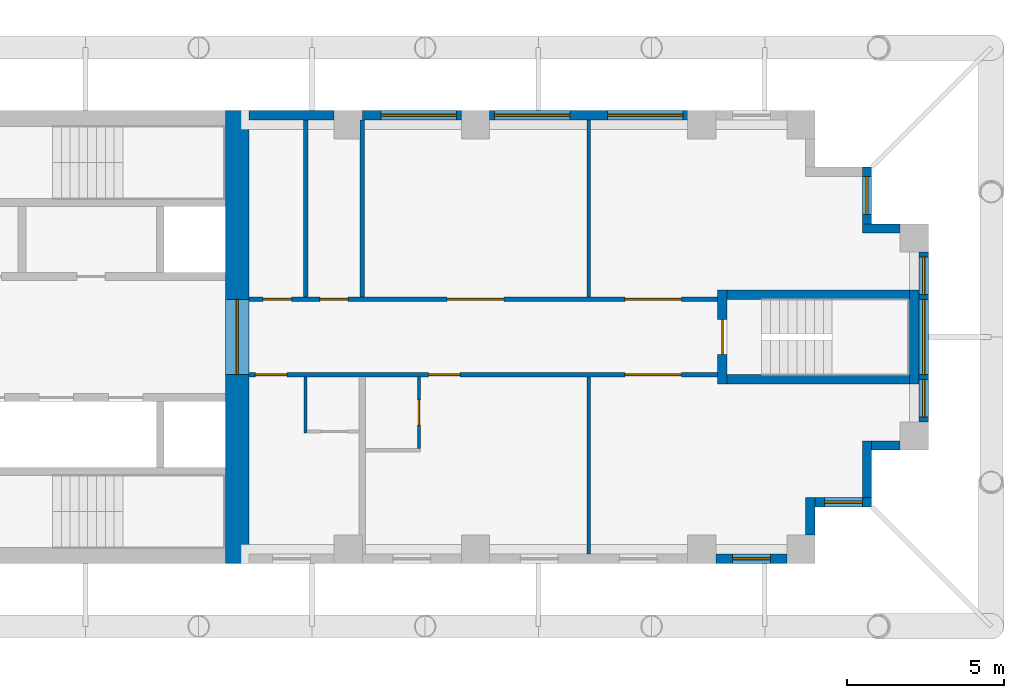
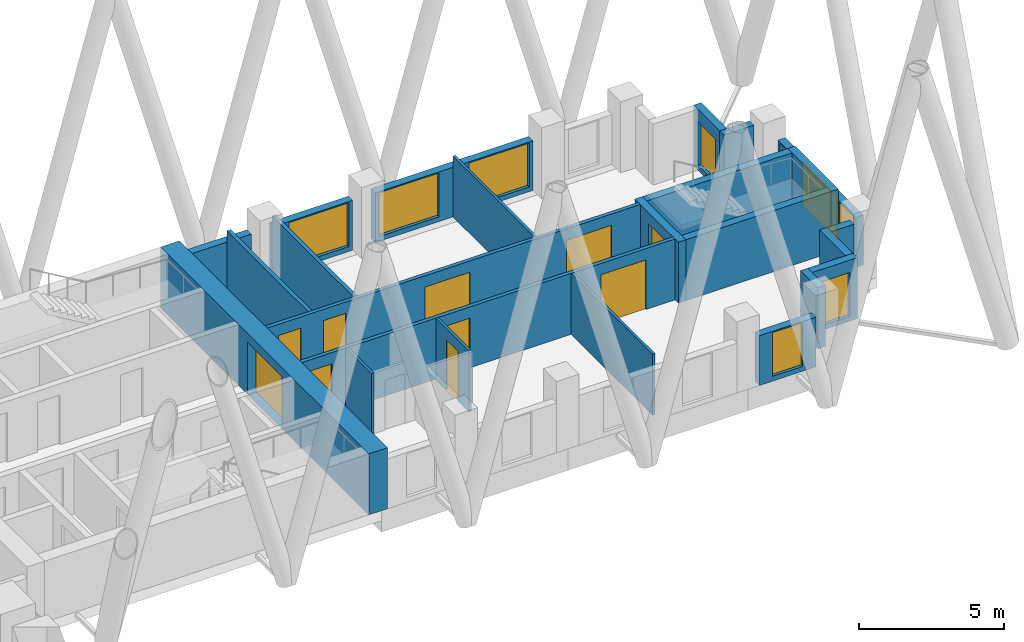
# One storey, part 10 of 14: 24 walls, 10 doors, 9 windows, 19 openings.
"""IFC4 building model written with IfcOpenShell, lengths in metres."""

from ifc_helpers import new_model, si_unit, direction, frame, frame_2d, origin, place, context, subcontext, project, spatial, rectangle, extrude, material, layer, layer_set, type_object, element, fill, save


model = new_model("IFC4")

# Units and contexts
model_context = context("Model", 3, precision=1e-05, world=origin(), true_north=direction((0.0, 1.0)))
body_context = subcontext(model_context, "Body", "Model", "MODEL_VIEW")
ifc_project = project(units=[si_unit("LENGTHUNIT", "METRE"), si_unit("AREAUNIT", "SQUARE_METRE"), si_unit("VOLUMEUNIT", "CUBIC_METRE"), si_unit("PLANEANGLEUNIT", "RADIAN"), si_unit("MASSUNIT", "GRAM", prefix="KILO")], contexts=[model_context])

# Site, building, storey
site_placement = place(None, origin())
site = spatial("IfcSite", under=ifc_project, at=site_placement, CompositionType="ELEMENT")
building_placement = place(site_placement, origin())
building = spatial("IfcBuilding", under=site, at=building_placement, Name="Fustian Cross Tower", CompositionType="ELEMENT")
storey_placement = place(building_placement, frame((0.0, 0.0, 102.89990234375)))
storey = spatial("IfcBuildingStorey", under=building, at=storey_placement, Name="L32", CompositionType="ELEMENT", Elevation=102.89990234375)

# Wall, openings, doors
ifc_material_1 = material(Name="Plasterboard on steel stud", Category="steel")
ifc_layer_1 = layer(ifc_material_1, 0.14990234375)
ifc_layer_set_1 = layer_set([ifc_layer_1], Name="Plasterboard on steel stud")
wall_type_1 = type_object("IfcWallType", Name="COMPARTMENT WALL 150 EI 60", PredefinedType="PARTITIONING", material=ifc_layer_set_1)
wall_1_placement = place(storey_placement, frame((21.60009765625, -1.199951171875, 0.0), z_axis=(0.0, 0.0, 1.0), x_axis=(1.0, 0.0, 0.0)))
wall_1 = element("IfcWall", 1, at=wall_1_placement, inside=storey, type_object=wall_type_1, Name="Partition 70", PredefinedType="PARTITIONING", context=body_context, shape_type="SweptSolid", body=[
    extrude(rectangle(XDim=14.89990234375, YDim=0.14990234375, at=frame_2d((7.449951171875, 0.0))), origin(), (0.0, 0.0, 1.0), 2.5751953125),
])
opening_1_placement = place(wall_1_placement, frame((0.199951171875, 0.0, 0.0)))
opening_1 = element("IfcOpeningElement", 2, at=opening_1_placement, cuts=wall_1, Name="Opening D15016", PredefinedType="OPENING", context=body_context, shape_type="SweptSolid", body=[
    extrude(rectangle(XDim=1.0, YDim=2.10009765625, at=frame_2d((0.5, 1.050048828125))), frame((0.0, 0.0849609375, 0.0), z_axis=(0.0, -1.0, 0.0), x_axis=(1.0, 0.0, 0.0)), (0.0, 0.0, 1.0), 0.169921875),
])
opening_2_placement = place(wall_1_placement, frame((5.7099609375, 0.0, 0.0)))
opening_2 = element("IfcOpeningElement", 3, at=opening_2_placement, cuts=wall_1, Name="Opening D15018", PredefinedType="OPENING", context=body_context, shape_type="SweptSolid", body=[
    extrude(rectangle(XDim=1.0, YDim=2.10009765625, at=frame_2d((0.5, 1.050048828125))), frame((0.0, 0.0849609375, 0.0), z_axis=(0.0, -1.0, 0.0), x_axis=(1.0, 0.0, 0.0)), (0.0, 0.0, 1.0), 0.169921875),
])
opening_3_placement = place(wall_1_placement, frame((11.949951171875, 0.0, 0.0)))
opening_3 = element("IfcOpeningElement", 4, at=opening_3_placement, cuts=wall_1, Name="Opening D15019", PredefinedType="OPENING", context=body_context, shape_type="SweptSolid", body=[
    extrude(rectangle(XDim=1.800048828125, YDim=2.10009765625, at=frame_2d((0.89990234375, 1.050048828125))), frame((0.0, 0.0849609375, 0.0), z_axis=(0.0, -1.0, 0.0), x_axis=(1.0, 0.0, 0.0)), (0.0, 0.0, 1.0), 0.169921875),
])
ifc_material_2 = material(Name="Timber fire door set", Category="wood")
door_type_1 = type_object("IfcDoorType", Name="FIRE DOUBLE DOOR 1800 FD30S", OperationType="DOUBLE_DOOR_DOUBLE_SWING", PredefinedType="DOOR", material=ifc_material_2)
door_1_placement = place(opening_3_placement, origin())
door_1 = element("IfcDoor", 5, at=door_1_placement, inside=storey, type_object=door_type_1, Name="Door D15019", OperationType="DOUBLE_DOOR_DOUBLE_SWING", OverallHeight=2.10009765625, OverallWidth=1.800048828125, PredefinedType="DOOR", context=body_context, shape_type="SweptSolid", body=[
    extrude(rectangle(XDim=1.800048828125, YDim=2.10009765625, at=frame_2d((0.89990234375, 1.050048828125))), frame((0.0, 0.02490234375, 0.0), z_axis=(0.0, -1.0, 0.0), x_axis=(1.0, 0.0, 0.0)), (0.0, 0.0, 1.0), 0.050048828125),
])
fill(opening_3, door_1)
ifc_material_3 = material(Name="Timber fire door set", Category="wood")
door_type_2 = type_object("IfcDoorType", Name="FIRE SWING DOOR 1000 FD30S", OperationType="SINGLE_SWING_LEFT", PredefinedType="DOOR", material=ifc_material_3)
door_2_placement = place(opening_1_placement, frame((1.0, 0.0, 0.0), z_axis=(0.0, 0.0, 1.0), x_axis=(-1.0, 0.0, 0.0)))
door_2 = element("IfcDoor", 6, at=door_2_placement, inside=storey, type_object=door_type_2, Name="Door D15016", OperationType="SINGLE_SWING_RIGHT", OverallHeight=2.10009765625, OverallWidth=1.0, PredefinedType="DOOR", context=body_context, shape_type="SweptSolid", body=[
    extrude(rectangle(XDim=1.0, YDim=2.10009765625, at=frame_2d((0.5, 1.050048828125))), frame((0.0, 0.02490234375, 0.0), z_axis=(0.0, -1.0, 0.0), x_axis=(1.0, 0.0, 0.0)), (0.0, 0.0, 1.0), 0.050048828125),
])
fill(opening_1, door_2)
door_3_placement = place(opening_2_placement, frame((1.0, 0.0, 0.0), z_axis=(0.0, 0.0, 1.0), x_axis=(-1.0, 0.0, 0.0)))
door_3 = element("IfcDoor", 7, at=door_3_placement, inside=storey, type_object=door_type_2, Name="Door D15018", OperationType="SINGLE_SWING_RIGHT", OverallHeight=2.10009765625, OverallWidth=1.0, PredefinedType="DOOR", context=body_context, shape_type="SweptSolid", body=[
    extrude(rectangle(XDim=1.0, YDim=2.10009765625, at=frame_2d((0.5, 1.050048828125))), frame((0.0, 0.02490234375, 0.0), z_axis=(0.0, -1.0, 0.0), x_axis=(1.0, 0.0, 0.0)), (0.0, 0.0, 1.0), 0.050048828125),
])
fill(opening_2, door_3)

wall_2_placement = place(storey_placement, frame((21.60009765625, 1.199951171875, 0.0), z_axis=(0.0, 0.0, 1.0), x_axis=(1.0, 0.0, 0.0)))
wall_2 = element("IfcWall", 8, at=wall_2_placement, inside=storey, type_object=wall_type_1, Name="Partition 71", PredefinedType="PARTITIONING", context=body_context, shape_type="SweptSolid", body=[
    extrude(rectangle(XDim=14.89990234375, YDim=0.14990234375, at=frame_2d((7.449951171875, 0.0))), origin(), (0.0, 0.0, 1.0), 2.5751953125),
])
opening_4_placement = place(wall_2_placement, frame((0.449951171875, 0.0, 0.0)))
opening_4 = element("IfcOpeningElement", 9, at=opening_4_placement, cuts=wall_2, Name="Opening D15011", PredefinedType="OPENING", context=body_context, shape_type="SweptSolid", body=[
    extrude(rectangle(XDim=0.89990234375, YDim=2.10009765625, at=frame_2d((0.449951171875, 1.050048828125))), frame((0.0, 0.0849609375, 0.0), z_axis=(0.0, -1.0, 0.0), x_axis=(1.0, 0.0, 0.0)), (0.0, 0.0, 1.0), 0.169921875),
])
opening_5_placement = place(wall_2_placement, frame((2.25, 0.0, 0.0)))
opening_5 = element("IfcOpeningElement", 10, at=opening_5_placement, cuts=wall_2, Name="Opening D15012", PredefinedType="OPENING", context=body_context, shape_type="SweptSolid", body=[
    extrude(rectangle(XDim=0.89990234375, YDim=2.10009765625, at=frame_2d((0.449951171875, 1.050048828125))), frame((0.0, 0.0849609375, 0.0), z_axis=(0.0, -1.0, 0.0), x_axis=(1.0, 0.0, 0.0)), (0.0, 0.0, 1.0), 0.169921875),
])
opening_6_placement = place(wall_2_placement, frame((6.300048828125, 0.0, 0.0)))
opening_6 = element("IfcOpeningElement", 11, at=opening_6_placement, cuts=wall_2, Name="Opening D15013", PredefinedType="OPENING", context=body_context, shape_type="SweptSolid", body=[
    extrude(rectangle(XDim=1.800048828125, YDim=2.10009765625, at=frame_2d((0.89990234375, 1.050048828125))), frame((0.0, 0.0849609375, 0.0), z_axis=(0.0, -1.0, 0.0), x_axis=(1.0, 0.0, 0.0)), (0.0, 0.0, 1.0), 0.169921875),
])
opening_7_placement = place(wall_2_placement, frame((11.949951171875, 0.0, 0.0)))
opening_7 = element("IfcOpeningElement", 12, at=opening_7_placement, cuts=wall_2, Name="Opening D15014", PredefinedType="OPENING", context=body_context, shape_type="SweptSolid", body=[
    extrude(rectangle(XDim=1.800048828125, YDim=2.10009765625, at=frame_2d((0.89990234375, 1.050048828125))), frame((0.0, 0.0849609375, 0.0), z_axis=(0.0, -1.0, 0.0), x_axis=(1.0, 0.0, 0.0)), (0.0, 0.0, 1.0), 0.169921875),
])
door_4_placement = place(opening_6_placement, frame((1.800048828125, 0.0, 0.0), z_axis=(0.0, 0.0, 1.0), x_axis=(-1.0, 0.0, 0.0)))
door_4 = element("IfcDoor", 13, at=door_4_placement, inside=storey, type_object=door_type_1, Name="Door D15013", OperationType="DOUBLE_DOOR_DOUBLE_SWING", OverallHeight=2.10009765625, OverallWidth=1.800048828125, PredefinedType="DOOR", context=body_context, shape_type="SweptSolid", body=[
    extrude(rectangle(XDim=1.800048828125, YDim=2.10009765625, at=frame_2d((0.89990234375, 1.050048828125))), frame((0.0, 0.02490234375, 0.0), z_axis=(0.0, -1.0, 0.0), x_axis=(1.0, 0.0, 0.0)), (0.0, 0.0, 1.0), 0.050048828125),
])
fill(opening_6, door_4)
door_5_placement = place(opening_7_placement, frame((1.800048828125, 0.0, 0.0), z_axis=(0.0, 0.0, 1.0), x_axis=(-1.0, 0.0, 0.0)))
door_5 = element("IfcDoor", 14, at=door_5_placement, inside=storey, type_object=door_type_1, Name="Door D15014", OperationType="DOUBLE_DOOR_DOUBLE_SWING", OverallHeight=2.10009765625, OverallWidth=1.800048828125, PredefinedType="DOOR", context=body_context, shape_type="SweptSolid", body=[
    extrude(rectangle(XDim=1.800048828125, YDim=2.10009765625, at=frame_2d((0.89990234375, 1.050048828125))), frame((0.0, 0.02490234375, 0.0), z_axis=(0.0, -1.0, 0.0), x_axis=(1.0, 0.0, 0.0)), (0.0, 0.0, 1.0), 0.050048828125),
])
fill(opening_7, door_5)
ifc_material_4 = material(Name="Timber fire door set", Category="wood")
door_type_3 = type_object("IfcDoorType", Name="FIRE SWING DOOR 900 FD30S", OperationType="SINGLE_SWING_LEFT", PredefinedType="DOOR", material=ifc_material_4)
door_6_placement = place(opening_4_placement, origin())
door_6 = element("IfcDoor", 15, at=door_6_placement, inside=storey, type_object=door_type_3, Name="Door D15011", OperationType="SINGLE_SWING_RIGHT", OverallHeight=2.10009765625, OverallWidth=0.89990234375, PredefinedType="DOOR", context=body_context, shape_type="SweptSolid", body=[
    extrude(rectangle(XDim=0.89990234375, YDim=2.10009765625, at=frame_2d((0.449951171875, 1.050048828125))), frame((0.0, 0.02490234375, 0.0), z_axis=(0.0, -1.0, 0.0), x_axis=(1.0, 0.0, 0.0)), (0.0, 0.0, 1.0), 0.050048828125),
])
fill(opening_4, door_6)
door_7_placement = place(opening_5_placement, origin())
door_7 = element("IfcDoor", 16, at=door_7_placement, inside=storey, type_object=door_type_3, Name="Door D15012", OperationType="SINGLE_SWING_RIGHT", OverallHeight=2.10009765625, OverallWidth=0.89990234375, PredefinedType="DOOR", context=body_context, shape_type="SweptSolid", body=[
    extrude(rectangle(XDim=0.89990234375, YDim=2.10009765625, at=frame_2d((0.449951171875, 1.050048828125))), frame((0.0, 0.02490234375, 0.0), z_axis=(0.0, -1.0, 0.0), x_axis=(1.0, 0.0, 0.0)), (0.0, 0.0, 1.0), 0.050048828125),
])
fill(opening_5, door_7)

# Walls
for number, where, z_axis, x_axis, name in (
    (17, (23.39990234375, 1.27490234375, 0.0), (0.0, 0.0, 1.0), (0.0, 1.0, 0.0), "Partition 74"),
    (18, (25.199951171875, 1.27490234375, 0.0), (0.0, 0.0, 1.0), (0.0, 1.0, 0.0), "Partition 77"),
):
    element("IfcWall", number, at=place(storey_placement, frame(where, z_axis=z_axis, x_axis=x_axis)), inside=storey, type_object=wall_type_1, Name=name, PredefinedType="PARTITIONING", context=body_context, shape_type="SweptSolid", body=[
        extrude(rectangle(XDim=5.625, YDim=0.14990234375, at=frame_2d((2.8125, 0.0))), origin(), (0.0, 0.0, 1.0), 2.5751953125),
    ])

# Wall, opening, door
ifc_material_5 = material(Name="Concrete C70/85", Category="concrete")
ifc_layer_2 = layer(ifc_material_5, 0.75)
ifc_layer_set_2 = layer_set([ifc_layer_2], Name="Concrete C70/85")
wall_type_2 = type_object("IfcWallType", Name="CORE END WALL 750 C70/85", PredefinedType="SHEAR", material=ifc_layer_set_2)
wall_3_placement = place(storey_placement, frame((21.22509765625, -7.199951171875, 0.0), z_axis=(0.0, 0.0, 1.0), x_axis=(0.0, 1.0, 0.0)))
wall_3 = element("IfcWall", 19, at=wall_3_placement, inside=storey, type_object=wall_type_2, Name="Core end wall", PredefinedType="SHEAR", context=body_context, shape_type="SweptSolid", body=[
    extrude(rectangle(XDim=14.39990234375, YDim=0.75, at=frame_2d((7.199951171875, 0.0))), origin(), (0.0, 0.0, 1.0), 2.5751953125),
])
opening_8_placement = place(wall_3_placement, frame((6.0, 0.0, 0.0)))
opening_8 = element("IfcOpeningElement", 20, at=opening_8_placement, cuts=wall_3, Name="Opening CD-10-13", PredefinedType="OPENING", context=body_context, shape_type="SweptSolid", body=[
    extrude(rectangle(XDim=2.39990234375, YDim=2.199951171875, at=frame_2d((1.199951171875, 1.10009765625))), frame((0.0, 0.385009765625, 0.0), z_axis=(0.0, -1.0, 0.0), x_axis=(1.0, 0.0, 0.0)), (0.0, 0.0, 1.0), 0.77001953125),
])
ifc_material_6 = material(Name="Steel", Category="steel")
door_type_4 = type_object("IfcDoorType", Name="FIRE DOOR FD30S DOUBLE 2400X2200", OperationType="DOUBLE_DOOR_DOUBLE_SWING", PredefinedType="DOOR", material=ifc_material_6)
door_8_placement = place(opening_8_placement, origin())
door_8 = element("IfcDoor", 21, at=door_8_placement, inside=storey, type_object=door_type_4, Name="Core door CD-10-13", OperationType="DOUBLE_DOOR_DOUBLE_SWING", OverallHeight=2.199951171875, OverallWidth=2.39990234375, PredefinedType="DOOR", context=body_context, shape_type="SweptSolid", body=[
    extrude(rectangle(XDim=2.39990234375, YDim=2.199951171875, at=frame_2d((1.199951171875, 1.10009765625))), frame((0.0, 0.02490234375, 0.0), z_axis=(0.0, -1.0, 0.0), x_axis=(1.0, 0.0, 0.0)), (0.0, 0.0, 1.0), 0.050048828125),
])
fill(opening_8, door_8)

# Wall
ifc_material_7 = material(Name="Plasterboard on steel stud", Category="steel")
ifc_layer_3 = layer(ifc_material_7, 0.10009765625)
ifc_layer_set_3 = layer_set([ifc_layer_3], Name="Plasterboard on steel stud")
wall_type_3 = type_object("IfcWallType", Name="PARTITION 100 STUD", PredefinedType="PARTITIONING", material=ifc_layer_set_3)
wall_4_placement = place(storey_placement, frame((23.39990234375, -3.050048828125, 0.0), z_axis=(0.0, 0.0, 1.0), x_axis=(0.0, 1.0, 0.0)))
element("IfcWall", 22, at=wall_4_placement, inside=storey, type_object=wall_type_3, Name="Partition 72", PredefinedType="PARTITIONING", context=body_context, shape_type="SweptSolid", body=[
    extrude(rectangle(XDim=1.775146484375, YDim=0.10009765625, at=frame_2d((0.8876953125, 0.0))), origin(), (0.0, 0.0, 1.0), 2.5751953125),
])

# Wall, opening, door
wall_5_placement = place(storey_placement, frame((27.0, -3.550048828125, 0.0), z_axis=(0.0, 0.0, 1.0), x_axis=(0.0, 1.0, 0.0)))
wall_5 = element("IfcWall", 23, at=wall_5_placement, inside=storey, type_object=wall_type_3, Name="Partition 78", PredefinedType="PARTITIONING", context=body_context, shape_type="SweptSolid", body=[
    extrude(rectangle(XDim=2.275146484375, YDim=0.10009765625, at=frame_2d((1.1376953125, 0.0))), origin(), (0.0, 0.0, 1.0), 2.5751953125),
])
opening_9_placement = place(wall_5_placement, frame((0.75, 0.0, 0.0)))
opening_9 = element("IfcOpeningElement", 24, at=opening_9_placement, cuts=wall_5, Name="Opening D15017", PredefinedType="OPENING", context=body_context, shape_type="SweptSolid", body=[
    extrude(rectangle(XDim=0.800048828125, YDim=2.10009765625, at=frame_2d((0.39990234375, 1.050048828125))), frame((0.0, 0.06005859375, 0.0), z_axis=(0.0, -1.0, 0.0), x_axis=(1.0, 0.0, 0.0)), (0.0, 0.0, 1.0), 0.1201171875),
])
ifc_material_8 = material(Name="Painted timber", Category="wood")
door_type_5 = type_object("IfcDoorType", Name="SWING DOOR 800", OperationType="SINGLE_SWING_LEFT", PredefinedType="DOOR", material=ifc_material_8)
door_9_placement = place(opening_9_placement, origin())
door_9 = element("IfcDoor", 25, at=door_9_placement, inside=storey, type_object=door_type_5, Name="Door D15017", OperationType="SINGLE_SWING_LEFT", OverallHeight=2.10009765625, OverallWidth=0.800048828125, PredefinedType="DOOR", context=body_context, shape_type="SweptSolid", body=[
    extrude(rectangle(XDim=0.800048828125, YDim=2.10009765625, at=frame_2d((0.39990234375, 1.050048828125))), frame((0.0, 0.02490234375, 0.0), z_axis=(0.0, -1.0, 0.0), x_axis=(1.0, 0.0, 0.0)), (0.0, 0.0, 1.0), 0.050048828125),
])
fill(opening_9, door_9)

# Walls
for number, where, z_axis, x_axis, name in (
    (26, (32.39990234375, -6.89990234375, 0.0), (0.0, 0.0, 1.0), (0.0, 1.0, 0.0), "Partition 79"),
    (27, (32.39990234375, 1.27490234375, 0.0), (0.0, 0.0, 1.0), (0.0, 1.0, 0.0), "Partition 80"),
):
    element("IfcWall", number, at=place(storey_placement, frame(where, z_axis=z_axis, x_axis=x_axis)), inside=storey, type_object=wall_type_3, Name=name, PredefinedType="PARTITIONING", context=body_context, shape_type="SweptSolid", body=[
        extrude(rectangle(XDim=5.625, YDim=0.10009765625, at=frame_2d((2.8125, 0.0))), origin(), (0.0, 0.0, 1.0), 2.5751953125),
    ])

# Wall, opening, door
ifc_material_9 = material(Name="Concrete C50/60", Category="concrete")
ifc_layer_4 = layer(ifc_material_9, 0.300048828125)
ifc_layer_set_4 = layer_set([ifc_layer_4], Name="Concrete C50/60")
wall_type_4 = type_object("IfcWallType", Name="STAIR ENCLOSURE WALL 300 C50/60", PredefinedType="SHEAR", material=ifc_layer_set_4)
wall_6_placement = place(storey_placement, frame((36.64990234375, -1.5, 0.0), z_axis=(0.0, 0.0, 1.0), x_axis=(0.0, 1.0, 0.0)))
wall_6 = element("IfcWall", 28, at=wall_6_placement, inside=storey, type_object=wall_type_4, Name="Stair enclosure wall", PredefinedType="SHEAR", context=body_context, shape_type="SweptSolid", body=[
    extrude(rectangle(XDim=3.0, YDim=0.300048828125, at=frame_2d((1.5, 0.0))), origin(), (0.0, 0.0, 1.0), 2.5751953125),
])
opening_10_placement = place(wall_6_placement, frame((0.949951171875, 0.0, 0.0)))
opening_10 = element("IfcOpeningElement", 29, at=opening_10_placement, cuts=wall_6, Name="Opening CD-10-32", PredefinedType="OPENING", context=body_context, shape_type="SweptSolid", body=[
    extrude(rectangle(XDim=1.10009765625, YDim=2.10009765625, at=frame_2d((0.550048828125, 1.050048828125))), frame((0.0, 0.159912109375, 0.0), z_axis=(0.0, -1.0, 0.0), x_axis=(1.0, 0.0, 0.0)), (0.0, 0.0, 1.0), 0.320068359375),
])
ifc_material_10 = material(Name="Steel", Category="steel")
door_type_6 = type_object("IfcDoorType", Name="FIRE DOOR FD60S 1100X2100", OperationType="SINGLE_SWING_LEFT", PredefinedType="DOOR", material=ifc_material_10)
door_10_placement = place(opening_10_placement, frame((1.10009765625, 0.0, 0.0), z_axis=(0.0, 0.0, 1.0), x_axis=(-1.0, 0.0, 0.0)))
door_10 = element("IfcDoor", 30, at=door_10_placement, inside=storey, type_object=door_type_6, Name="Core door CD-10-32", OperationType="SINGLE_SWING_RIGHT", OverallHeight=2.10009765625, OverallWidth=1.10009765625, PredefinedType="DOOR", context=body_context, shape_type="SweptSolid", body=[
    extrude(rectangle(XDim=1.10009765625, YDim=2.10009765625, at=frame_2d((0.550048828125, 1.050048828125))), frame((0.0, 0.02490234375, 0.0), z_axis=(0.0, -1.0, 0.0), x_axis=(1.0, 0.0, 0.0)), (0.0, 0.0, 1.0), 0.050048828125),
])
fill(opening_10, door_10)

# Walls
wall_7_placement = place(storey_placement, frame((42.75, -1.5, 0.0), z_axis=(0.0, 0.0, 1.0), x_axis=(0.0, 1.0, 0.0)))
element("IfcWall", 31, at=wall_7_placement, inside=storey, type_object=wall_type_4, Name="Stair enclosure wall", PredefinedType="SHEAR", context=body_context, shape_type="SweptSolid", body=[
    extrude(rectangle(XDim=3.0, YDim=0.300048828125, at=frame_2d((1.5, 0.0))), origin(), (0.0, 0.0, 1.0), 2.5751953125),
])
for number, where, z_axis, x_axis, name in (
    (32, (36.800048828125, -1.35009765625, 0.0), (0.0, 0.0, 1.0), (1.0, 0.0, 0.0), "Stair enclosure wall"),
    (33, (36.800048828125, 1.35009765625, 0.0), (0.0, 0.0, 1.0), (1.0, 0.0, 0.0), "Stair enclosure wall"),
):
    element("IfcWall", number, at=place(storey_placement, frame(where, z_axis=z_axis, x_axis=x_axis)), inside=storey, type_object=wall_type_4, Name=name, PredefinedType="SHEAR", context=body_context, shape_type="SweptSolid", body=[
        extrude(rectangle(XDim=5.800048828125, YDim=0.300048828125, at=frame_2d((2.89990234375, 0.0))), origin(), (0.0, 0.0, 1.0), 2.5751953125),
    ])

# Wall, opening, window
ifc_material_11 = material(Name="Dark aluminium cladding on insulated backing wall", Category="aluminium")
ifc_layer_5 = layer(ifc_material_11, 0.300048828125)
ifc_layer_set_5 = layer_set([ifc_layer_5], Name="Dark aluminium cladding on insulated backing wall")
wall_type_5 = type_object("IfcWallType", Name="XW1 EXTERNAL WALL 300", PredefinedType="SOLIDWALL", material=ifc_layer_set_5)
wall_8_placement = place(storey_placement, frame((36.449951171875, -7.050048828125, 0.0), z_axis=(0.0, 0.0, 1.0), x_axis=(1.0, 0.0, 0.0)))
wall_8 = element("IfcWall", 34, at=wall_8_placement, inside=storey, type_object=wall_type_5, Name="External wall", PredefinedType="SOLIDWALL", context=body_context, shape_type="SweptSolid", body=[
    extrude(rectangle(XDim=2.25, YDim=0.300048828125, at=frame_2d((1.125, 0.0))), origin(), (0.0, 0.0, 1.0), 2.10009765625),
])
opening_11_placement = place(wall_8_placement, frame((0.52490234375, 0.0, 0.199951171875)))
opening_11 = element("IfcOpeningElement", 35, at=opening_11_placement, cuts=wall_8, Name="Opening WN3", PredefinedType="OPENING", context=body_context, shape_type="SweptSolid", body=[
    extrude(rectangle(XDim=1.199951171875, YDim=1.85009765625, at=frame_2d((0.60009765625, 0.925048828125))), frame((0.0, 0.159912109375, 0.0), z_axis=(0.0, -1.0, 0.0), x_axis=(1.0, 0.0, 0.0)), (0.0, 0.0, 1.0), 0.320068359375),
])
ifc_material_12 = material(Name="Dark anodised aluminium and double glazing", Category="aluminium")
window_type_1 = type_object("IfcWindowType", Name="WN3 WINDOW 1200X1850", PartitioningType="SINGLE_PANEL", PredefinedType="WINDOW", material=ifc_material_12)
window_1_placement = place(opening_11_placement, origin())
window_1 = element("IfcWindow", 36, at=window_1_placement, inside=storey, type_object=window_type_1, Name="Window", OverallHeight=1.85009765625, OverallWidth=1.199951171875, PartitioningType="SINGLE_PANEL", PredefinedType="WINDOW", context=body_context, shape_type="SweptSolid", body=[
    extrude(rectangle(XDim=1.199951171875, YDim=1.85009765625, at=frame_2d((0.60009765625, 0.925048828125))), frame((0.0, 0.030029296875, 0.0), z_axis=(0.0, -1.0, 0.0), x_axis=(1.0, 0.0, 0.0)), (0.0, 0.0, 1.0), 0.06005859375),
])
fill(opening_11, window_1)

# Wall
wall_9_placement = place(storey_placement, frame((39.449951171875, -6.300048828125, 0.0), z_axis=(0.0, 0.0, 1.0), x_axis=(0.0, 1.0, 0.0)))
element("IfcWall", 37, at=wall_9_placement, inside=storey, type_object=wall_type_5, Name="External wall", PredefinedType="SOLIDWALL", context=body_context, shape_type="SweptSolid", body=[
    extrude(rectangle(XDim=1.199951171875, YDim=0.300048828125, at=frame_2d((0.60009765625, 0.0))), origin(), (0.0, 0.0, 1.0), 2.5751953125),
])

# Wall, opening, window
wall_10_placement = place(storey_placement, frame((39.60009765625, -5.25, 0.0), z_axis=(0.0, 0.0, 1.0), x_axis=(1.0, 0.0, 0.0)))
wall_10 = element("IfcWall", 38, at=wall_10_placement, inside=storey, type_object=wall_type_5, Name="External wall", PredefinedType="SOLIDWALL", context=body_context, shape_type="SweptSolid", body=[
    extrude(rectangle(XDim=1.7998046875, YDim=0.300048828125, at=frame_2d((0.89990234375, 0.0))), origin(), (0.0, 0.0, 1.0), 2.5751953125),
])
opening_12_placement = place(wall_10_placement, frame((0.300048828125, 0.0, 0.199951171875)))
opening_12 = element("IfcOpeningElement", 39, at=opening_12_placement, cuts=wall_10, Name="Opening WN3", PredefinedType="OPENING", context=body_context, shape_type="SweptSolid", body=[
    extrude(rectangle(XDim=1.199951171875, YDim=1.85009765625, at=frame_2d((0.60009765625, 0.925048828125))), frame((0.0, 0.159912109375, 0.0), z_axis=(0.0, -1.0, 0.0), x_axis=(1.0, 0.0, 0.0)), (0.0, 0.0, 1.0), 0.320068359375),
])
window_2_placement = place(opening_12_placement, origin())
window_2 = element("IfcWindow", 40, at=window_2_placement, inside=storey, type_object=window_type_1, Name="Window", OverallHeight=1.85009765625, OverallWidth=1.199951171875, PartitioningType="SINGLE_PANEL", PredefinedType="WINDOW", context=body_context, shape_type="SweptSolid", body=[
    extrude(rectangle(XDim=1.199951171875, YDim=1.85009765625, at=frame_2d((0.60009765625, 0.925048828125))), frame((0.0, 0.030029296875, 0.0), z_axis=(0.0, -1.0, 0.0), x_axis=(1.0, 0.0, 0.0)), (0.0, 0.0, 1.0), 0.06005859375),
])
fill(opening_12, window_2)

# Walls
wall_11_placement = place(storey_placement, frame((41.25, -5.10009765625, 0.0), z_axis=(0.0, 0.0, 1.0), x_axis=(0.0, 1.0, 0.0)))
element("IfcWall", 41, at=wall_11_placement, inside=storey, type_object=wall_type_5, Name="External wall", PredefinedType="SOLIDWALL", context=body_context, shape_type="SweptSolid", body=[
    extrude(rectangle(XDim=1.800048828125, YDim=0.300048828125, at=frame_2d((0.89990234375, 0.0))), origin(), (0.0, 0.0, 1.0), 2.5751953125),
])
wall_12_placement = place(storey_placement, frame((41.39990234375, -3.449951171875, 0.0), z_axis=(0.0, 0.0, 1.0), x_axis=(1.0, 0.0, 0.0)))
element("IfcWall", 42, at=wall_12_placement, inside=storey, type_object=wall_type_5, Name="External wall", PredefinedType="SOLIDWALL", context=body_context, shape_type="SweptSolid", body=[
    extrude(rectangle(XDim=0.900146484375, YDim=0.300048828125, at=frame_2d((0.4501953125, 0.0))), origin(), (0.0, 0.0, 1.0), 2.5751953125),
])

# Wall, openings, windows
wall_13_placement = place(storey_placement, frame((43.050048828125, -2.699951171875, 0.0), z_axis=(0.0, 0.0, 1.0), x_axis=(0.0, 1.0, 0.0)))
wall_13 = element("IfcWall", 43, at=wall_13_placement, inside=storey, type_object=wall_type_5, Name="External wall", PredefinedType="SOLIDWALL", context=body_context, shape_type="SweptSolid", body=[
    extrude(rectangle(XDim=5.39990234375, YDim=0.300048828125, at=frame_2d((2.699951171875, 0.0))), origin(), (0.0, 0.0, 1.0), 2.10009765625),
])
opening_13_placement = place(wall_13_placement, frame((1.5, 0.0, 0.199951171875)))
opening_13 = element("IfcOpeningElement", 44, at=opening_13_placement, cuts=wall_13, Name="Opening WN1", PredefinedType="OPENING", context=body_context, shape_type="SweptSolid", body=[
    extrude(rectangle(XDim=2.39990234375, YDim=1.85009765625, at=frame_2d((1.199951171875, 0.925048828125))), frame((0.0, 0.159912109375, 0.0), z_axis=(0.0, -1.0, 0.0), x_axis=(1.0, 0.0, 0.0)), (0.0, 0.0, 1.0), 0.320068359375),
])
opening_14_placement = place(wall_13_placement, frame((0.14990234375, 0.0, 0.199951171875)))
opening_14 = element("IfcOpeningElement", 45, at=opening_14_placement, cuts=wall_13, Name="Opening WN3", PredefinedType="OPENING", context=body_context, shape_type="SweptSolid", body=[
    extrude(rectangle(XDim=1.199951171875, YDim=1.85009765625, at=frame_2d((0.60009765625, 0.925048828125))), frame((0.0, 0.159912109375, 0.0), z_axis=(0.0, -1.0, 0.0), x_axis=(1.0, 0.0, 0.0)), (0.0, 0.0, 1.0), 0.320068359375),
])
opening_15_placement = place(wall_13_placement, frame((4.050048828125, 0.0, 0.199951171875)))
opening_15 = element("IfcOpeningElement", 46, at=opening_15_placement, cuts=wall_13, Name="Opening WN3", PredefinedType="OPENING", context=body_context, shape_type="SweptSolid", body=[
    extrude(rectangle(XDim=1.199951171875, YDim=1.85009765625, at=frame_2d((0.60009765625, 0.925048828125))), frame((0.0, 0.159912109375, 0.0), z_axis=(0.0, -1.0, 0.0), x_axis=(1.0, 0.0, 0.0)), (0.0, 0.0, 1.0), 0.320068359375),
])
ifc_material_13 = material(Name="Dark anodised aluminium and double glazing", Category="aluminium")
window_type_2 = type_object("IfcWindowType", Name="WN1 WINDOW 2400X1850", PartitioningType="SINGLE_PANEL", PredefinedType="WINDOW", material=ifc_material_13)
window_3_placement = place(opening_13_placement, origin())
window_3 = element("IfcWindow", 47, at=window_3_placement, inside=storey, type_object=window_type_2, Name="Window", OverallHeight=1.85009765625, OverallWidth=2.39990234375, PartitioningType="SINGLE_PANEL", PredefinedType="WINDOW", context=body_context, shape_type="SweptSolid", body=[
    extrude(rectangle(XDim=2.39990234375, YDim=1.85009765625, at=frame_2d((1.199951171875, 0.925048828125))), frame((0.0, 0.030029296875, 0.0), z_axis=(0.0, -1.0, 0.0), x_axis=(1.0, 0.0, 0.0)), (0.0, 0.0, 1.0), 0.06005859375),
])
fill(opening_13, window_3)
window_4_placement = place(opening_14_placement, origin())
window_4 = element("IfcWindow", 48, at=window_4_placement, inside=storey, type_object=window_type_1, Name="Window", OverallHeight=1.85009765625, OverallWidth=1.199951171875, PartitioningType="SINGLE_PANEL", PredefinedType="WINDOW", context=body_context, shape_type="SweptSolid", body=[
    extrude(rectangle(XDim=1.199951171875, YDim=1.85009765625, at=frame_2d((0.60009765625, 0.925048828125))), frame((0.0, 0.030029296875, 0.0), z_axis=(0.0, -1.0, 0.0), x_axis=(1.0, 0.0, 0.0)), (0.0, 0.0, 1.0), 0.06005859375),
])
fill(opening_14, window_4)
window_5_placement = place(opening_15_placement, origin())
window_5 = element("IfcWindow", 49, at=window_5_placement, inside=storey, type_object=window_type_1, Name="Window", OverallHeight=1.85009765625, OverallWidth=1.199951171875, PartitioningType="SINGLE_PANEL", PredefinedType="WINDOW", context=body_context, shape_type="SweptSolid", body=[
    extrude(rectangle(XDim=1.199951171875, YDim=1.85009765625, at=frame_2d((0.60009765625, 0.925048828125))), frame((0.0, 0.030029296875, 0.0), z_axis=(0.0, -1.0, 0.0), x_axis=(1.0, 0.0, 0.0)), (0.0, 0.0, 1.0), 0.06005859375),
])
fill(opening_15, window_5)

# Wall
wall_14_placement = place(storey_placement, frame((42.300048828125, 3.449951171875, 0.0), z_axis=(0.0, 0.0, 1.0), x_axis=(-1.0, 0.0, 0.0)))
element("IfcWall", 50, at=wall_14_placement, inside=storey, type_object=wall_type_5, Name="External wall", PredefinedType="SOLIDWALL", context=body_context, shape_type="SweptSolid", body=[
    extrude(rectangle(XDim=1.199951171875, YDim=0.300048828125, at=frame_2d((0.60009765625, 0.0))), origin(), (0.0, 0.0, 1.0), 2.5751953125),
])

# Wall, opening, window
wall_15_placement = place(storey_placement, frame((41.25, 3.60009765625, 0.0), z_axis=(0.0, 0.0, 1.0), x_axis=(0.0, 1.0, 0.0)))
wall_15 = element("IfcWall", 51, at=wall_15_placement, inside=storey, type_object=wall_type_5, Name="External wall", PredefinedType="SOLIDWALL", context=body_context, shape_type="SweptSolid", body=[
    extrude(rectangle(XDim=1.7998046875, YDim=0.300048828125, at=frame_2d((0.89990234375, 0.0))), origin(), (0.0, 0.0, 1.0), 2.5751953125),
])
opening_16_placement = place(wall_15_placement, frame((0.300048828125, 0.0, 0.199951171875)))
opening_16 = element("IfcOpeningElement", 52, at=opening_16_placement, cuts=wall_15, Name="Opening WN3", PredefinedType="OPENING", context=body_context, shape_type="SweptSolid", body=[
    extrude(rectangle(XDim=1.199951171875, YDim=1.85009765625, at=frame_2d((0.60009765625, 0.925048828125))), frame((0.0, 0.159912109375, 0.0), z_axis=(0.0, -1.0, 0.0), x_axis=(1.0, 0.0, 0.0)), (0.0, 0.0, 1.0), 0.320068359375),
])
window_6_placement = place(opening_16_placement, origin())
window_6 = element("IfcWindow", 53, at=window_6_placement, inside=storey, type_object=window_type_1, Name="Window", OverallHeight=1.85009765625, OverallWidth=1.199951171875, PartitioningType="SINGLE_PANEL", PredefinedType="WINDOW", context=body_context, shape_type="SweptSolid", body=[
    extrude(rectangle(XDim=1.199951171875, YDim=1.85009765625, at=frame_2d((0.60009765625, 0.925048828125))), frame((0.0, 0.030029296875, 0.0), z_axis=(0.0, -1.0, 0.0), x_axis=(1.0, 0.0, 0.0)), (0.0, 0.0, 1.0), 0.06005859375),
])
fill(opening_16, window_6)

# Wall, openings, windows
wall_16_placement = place(storey_placement, frame((35.550048828125, 7.050048828125, 0.0), z_axis=(0.0, 0.0, 1.0), x_axis=(-1.0, 0.0, 0.0)))
wall_16 = element("IfcWall", 54, at=wall_16_placement, inside=storey, type_object=wall_type_5, Name="External wall", PredefinedType="SOLIDWALL", context=body_context, shape_type="SweptSolid", body=[
    extrude(rectangle(XDim=6.300048828125, YDim=0.300048828125, at=frame_2d((3.14990234375, 0.0))), origin(), (0.0, 0.0, 1.0), 2.10009765625),
])
opening_17_placement = place(wall_16_placement, frame((0.14990234375, 0.0, 0.199951171875)))
opening_17 = element("IfcOpeningElement", 55, at=opening_17_placement, cuts=wall_16, Name="Opening WN1", PredefinedType="OPENING", context=body_context, shape_type="SweptSolid", body=[
    extrude(rectangle(XDim=2.39990234375, YDim=1.85009765625, at=frame_2d((1.199951171875, 0.925048828125))), frame((0.0, 0.159912109375, 0.0), z_axis=(0.0, -1.0, 0.0), x_axis=(1.0, 0.0, 0.0)), (0.0, 0.0, 1.0), 0.320068359375),
])
opening_18_placement = place(wall_16_placement, frame((3.75, 0.0, 0.199951171875)))
opening_18 = element("IfcOpeningElement", 56, at=opening_18_placement, cuts=wall_16, Name="Opening WN1", PredefinedType="OPENING", context=body_context, shape_type="SweptSolid", body=[
    extrude(rectangle(XDim=2.39990234375, YDim=1.85009765625, at=frame_2d((1.199951171875, 0.925048828125))), frame((0.0, 0.159912109375, 0.0), z_axis=(0.0, -1.0, 0.0), x_axis=(1.0, 0.0, 0.0)), (0.0, 0.0, 1.0), 0.320068359375),
])
window_7_placement = place(opening_17_placement, origin())
window_7 = element("IfcWindow", 57, at=window_7_placement, inside=storey, type_object=window_type_2, Name="Window", OverallHeight=1.85009765625, OverallWidth=2.39990234375, PartitioningType="SINGLE_PANEL", PredefinedType="WINDOW", context=body_context, shape_type="SweptSolid", body=[
    extrude(rectangle(XDim=2.39990234375, YDim=1.85009765625, at=frame_2d((1.199951171875, 0.925048828125))), frame((0.0, 0.030029296875, 0.0), z_axis=(0.0, -1.0, 0.0), x_axis=(1.0, 0.0, 0.0)), (0.0, 0.0, 1.0), 0.06005859375),
])
fill(opening_17, window_7)
window_8_placement = place(opening_18_placement, origin())
window_8 = element("IfcWindow", 58, at=window_8_placement, inside=storey, type_object=window_type_2, Name="Window", OverallHeight=1.85009765625, OverallWidth=2.39990234375, PartitioningType="SINGLE_PANEL", PredefinedType="WINDOW", context=body_context, shape_type="SweptSolid", body=[
    extrude(rectangle(XDim=2.39990234375, YDim=1.85009765625, at=frame_2d((1.199951171875, 0.925048828125))), frame((0.0, 0.030029296875, 0.0), z_axis=(0.0, -1.0, 0.0), x_axis=(1.0, 0.0, 0.0)), (0.0, 0.0, 1.0), 0.06005859375),
])
fill(opening_18, window_8)

# Wall, opening, window
wall_17_placement = place(storey_placement, frame((28.35009765625, 7.050048828125, 0.0), z_axis=(0.0, 0.0, 1.0), x_axis=(-1.0, 0.0, 0.0)))
wall_17 = element("IfcWall", 59, at=wall_17_placement, inside=storey, type_object=wall_type_5, Name="External wall", PredefinedType="SOLIDWALL", context=body_context, shape_type="SweptSolid", body=[
    extrude(rectangle(XDim=3.150146484375, YDim=0.300048828125, at=frame_2d((1.5751953125, 0.0))), origin(), (0.0, 0.0, 1.0), 2.10009765625),
])
opening_19_placement = place(wall_17_placement, frame((0.14990234375, 0.0, 0.199951171875)))
opening_19 = element("IfcOpeningElement", 60, at=opening_19_placement, cuts=wall_17, Name="Opening WN1", PredefinedType="OPENING", context=body_context, shape_type="SweptSolid", body=[
    extrude(rectangle(XDim=2.39990234375, YDim=1.85009765625, at=frame_2d((1.199951171875, 0.925048828125))), frame((0.0, 0.159912109375, 0.0), z_axis=(0.0, -1.0, 0.0), x_axis=(1.0, 0.0, 0.0)), (0.0, 0.0, 1.0), 0.320068359375),
])
window_9_placement = place(opening_19_placement, origin())
window_9 = element("IfcWindow", 61, at=window_9_placement, inside=storey, type_object=window_type_2, Name="Window", OverallHeight=1.85009765625, OverallWidth=2.39990234375, PartitioningType="SINGLE_PANEL", PredefinedType="WINDOW", context=body_context, shape_type="SweptSolid", body=[
    extrude(rectangle(XDim=2.39990234375, YDim=1.85009765625, at=frame_2d((1.199951171875, 0.925048828125))), frame((0.0, 0.030029296875, 0.0), z_axis=(0.0, -1.0, 0.0), x_axis=(1.0, 0.0, 0.0)), (0.0, 0.0, 1.0), 0.06005859375),
])
fill(opening_19, window_9)

# Wall
wall_18_placement = place(storey_placement, frame((24.300048828125, 7.050048828125, 0.0), z_axis=(0.0, 0.0, 1.0), x_axis=(-1.0, 0.0, 0.0)))
element("IfcWall", 62, at=wall_18_placement, inside=storey, type_object=wall_type_5, Name="External wall", PredefinedType="SOLIDWALL", context=body_context, shape_type="SweptSolid", body=[
    extrude(rectangle(XDim=2.699951171875, YDim=0.300048828125, at=frame_2d((1.35009765625, 0.0))), origin(), (0.0, 0.0, 1.0), 2.10009765625),
])

save(model, "model.ifc")
